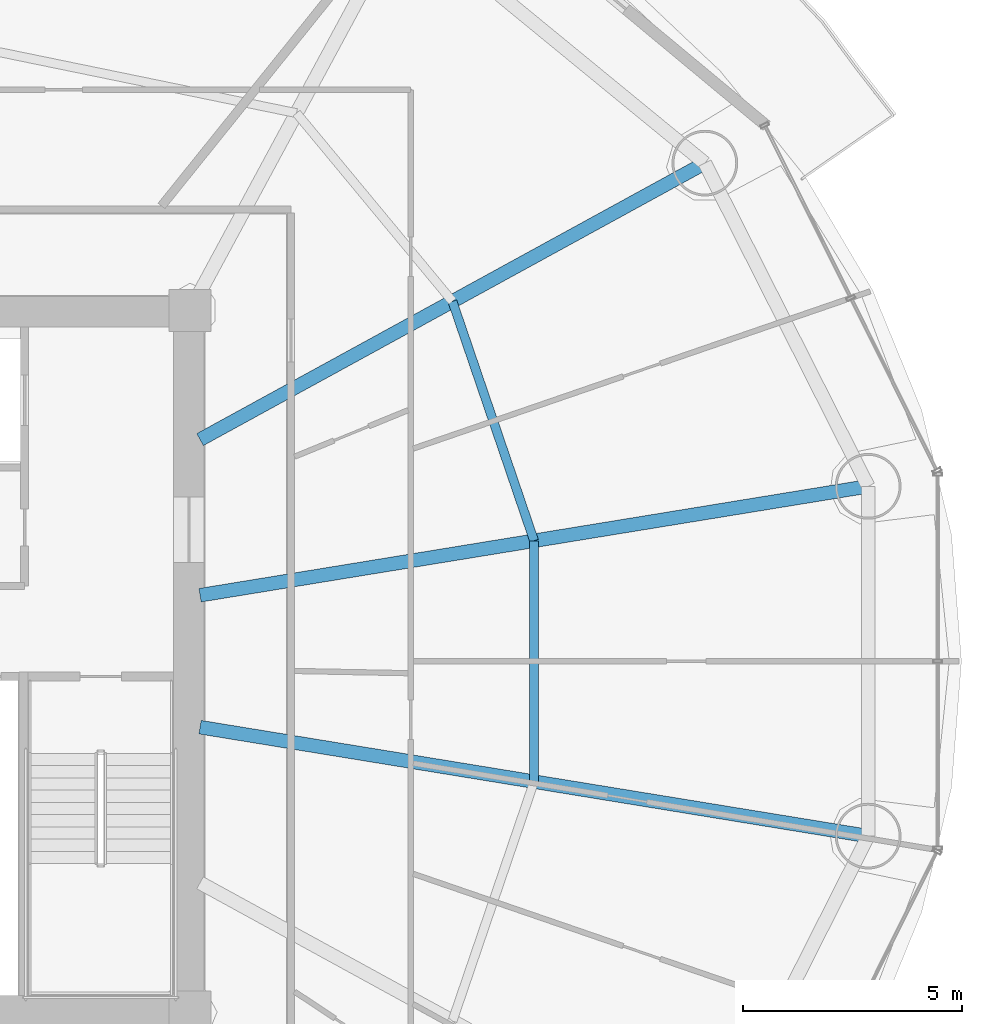
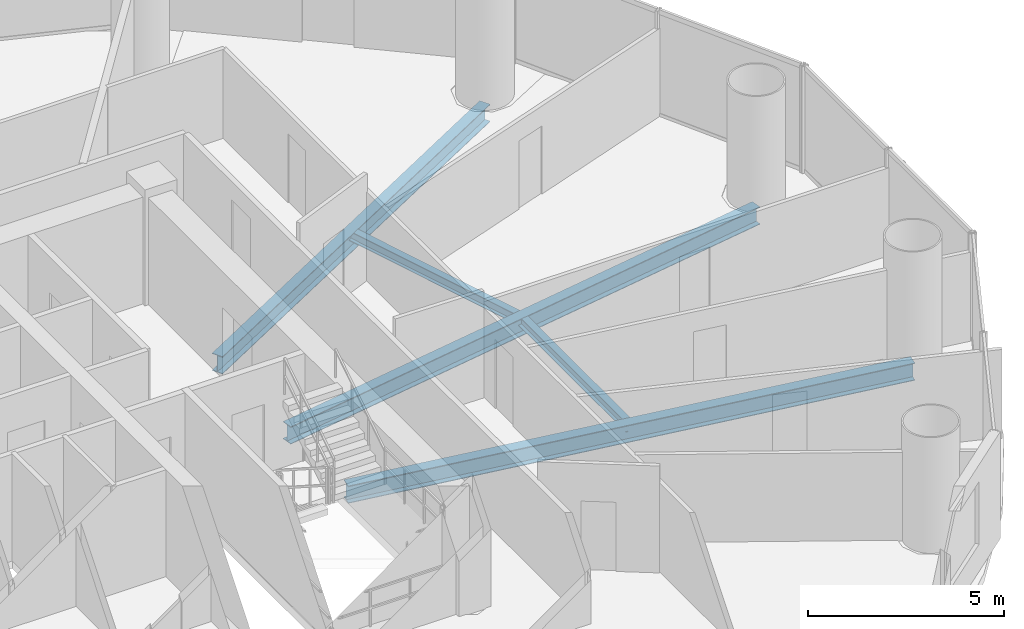
# One storey, part 14 of 29: 5 beams.
"""IFC4 building model written with IfcOpenShell, lengths in metres."""

from ifc_helpers import new_model, si_unit, direction, frame, origin, origin_2d, place, context, subcontext, project, spatial, i_section, extrude, material, material_profile, profile_set, type_object, element, save


model = new_model("IFC4")

# Units and contexts
model_context = context("Model", 3, precision=1e-05, world=origin(), true_north=direction((-0.2419218956, 0.970295726276)))
body_context = subcontext(model_context, "Body", "Model", "MODEL_VIEW")
ifc_project = project(units=[si_unit("LENGTHUNIT", "METRE"), si_unit("AREAUNIT", "SQUARE_METRE"), si_unit("VOLUMEUNIT", "CUBIC_METRE"), si_unit("PLANEANGLEUNIT", "RADIAN"), si_unit("MASSUNIT", "GRAM", prefix="KILO")], contexts=[model_context])

# Site, building, storey
site_placement = place(None, origin())
site = spatial("IfcSite", under=ifc_project, at=site_placement, CompositionType="ELEMENT")
building_placement = place(site_placement, origin())
building = spatial("IfcBuilding", under=site, at=building_placement, Name="Cobrevalo Terracotta Tower", CompositionType="ELEMENT")
storey_placement = place(building_placement, frame((0.0, 0.0, 119.39990234375)))
storey = spatial("IfcBuildingStorey", under=building, at=storey_placement, Name="L31", CompositionType="ELEMENT", Elevation=119.39990234375)

# Beams
ifc_material = material(Name="Steel S355", Category="steel")
ifc_material_profile_1 = material_profile(ifc_material, i_section(OverallWidth=0.31201171875, OverallDepth=0.54296875, WebThickness=0.0126953125, FlangeThickness=0.020263671875, at=origin_2d()), Name="W 530x150")
ifc_profile_set_1 = profile_set([ifc_material_profile_1], Name="Steel S355")
beam_type_1 = type_object("IfcBeamType", Name="Structural Beam W 530x150 (Steel S355)", PredefinedType="BEAM", material=ifc_profile_set_1)
beam_1_placement = place(storey_placement, frame((62.470703125, 30.78955078125, -0.54638671875), z_axis=(-0.986970567439, -0.160900898101, 0.0), x_axis=(0.160900898101, -0.986970567439, 0.0)))
element("IfcBeam", 1, at=beam_1_placement, inside=storey, type_object=beam_type_1, Name="L31 radial floor girder 01", PredefinedType="BEAM", context=body_context, shape_type="SweptSolid", body=[
    extrude(i_section(OverallWidth=0.31201171875, OverallDepth=0.54296875, WebThickness=0.0126953125, FlangeThickness=0.020263671875, at=origin_2d()), origin(), (0.0, 0.0, 1.0), 15.44189453125),
])
beam_2_placement = place(storey_placement, frame((58.7451171875, 38.161376953125, -0.54638671875), z_axis=(-0.877080599376, -0.480343233738, 0.0), x_axis=(0.480343233738, -0.877080599376, 0.0)))
element("IfcBeam", 2, at=beam_2_placement, inside=storey, type_object=beam_type_1, Name="L31 radial floor girder 02", PredefinedType="BEAM", context=body_context, shape_type="SweptSolid", body=[
    extrude(i_section(OverallWidth=0.31201171875, OverallDepth=0.54296875, WebThickness=0.0126953125, FlangeThickness=0.020263671875, at=origin_2d()), origin(), (0.0, 0.0, 1.0), 13.12890625),
])
beam_3_placement = place(storey_placement, frame((62.470703125, 22.810302734375, -0.54638671875), z_axis=(-0.986968056587, 0.160916298977, 0.0), x_axis=(-0.160916298977, -0.986968056587, 0.0)))
element("IfcBeam", 3, at=beam_3_placement, inside=storey, type_object=beam_type_1, Name="L31 radial floor girder 16", PredefinedType="BEAM", context=body_context, shape_type="SweptSolid", body=[
    extrude(i_section(OverallWidth=0.31201171875, OverallDepth=0.54296875, WebThickness=0.0126953125, FlangeThickness=0.020263671875, at=origin_2d()), origin(), (0.0, 0.0, 1.0), 15.44189453125),
])
ifc_material_profile_2 = material_profile(ifc_material, i_section(OverallWidth=0.2041015625, OverallDepth=0.305908203125, WebThickness=0.008544921875, FlangeThickness=0.0146484375, at=origin_2d()), Name="W 310x67")
ifc_profile_set_2 = profile_set([ifc_material_profile_2], Name="Steel S355")
beam_type_2 = type_object("IfcBeamType", Name="Structural Joist W 310x67 (Steel S355)", PredefinedType="JOIST", material=ifc_profile_set_2)
beam_4_placement = place(storey_placement, frame((54.850341796875, 29.547119140625, -0.427978515625), z_axis=(-0.322833299398, 0.94645584197, 0.0), x_axis=(-0.94645584197, -0.322833299398, 0.0)))
element("IfcBeam", 4, at=beam_4_placement, inside=storey, type_object=beam_type_2, Name="L31 circumferential secondary floor joist 01", PredefinedType="JOIST", context=body_context, shape_type="SweptSolid", body=[
    extrude(i_section(OverallWidth=0.2041015625, OverallDepth=0.305908203125, WebThickness=0.008544921875, FlangeThickness=0.0146484375, at=origin_2d()), origin(), (0.0, 0.0, 1.0), 5.77001953125),
])
beam_5_placement = place(storey_placement, frame((54.850341796875, 24.052734375, -0.427978515625), z_axis=(0.0, 1.0, 0.0), x_axis=(-1.0, 0.0, 0.0)))
element("IfcBeam", 5, at=beam_5_placement, inside=storey, type_object=beam_type_2, Name="L31 circumferential secondary floor joist 16", PredefinedType="JOIST", context=body_context, shape_type="SweptSolid", body=[
    extrude(i_section(OverallWidth=0.2041015625, OverallDepth=0.305908203125, WebThickness=0.008544921875, FlangeThickness=0.0146484375, at=origin_2d()), origin(), (0.0, 0.0, 1.0), 5.494384765625),
])

save(model, "model.ifc")
